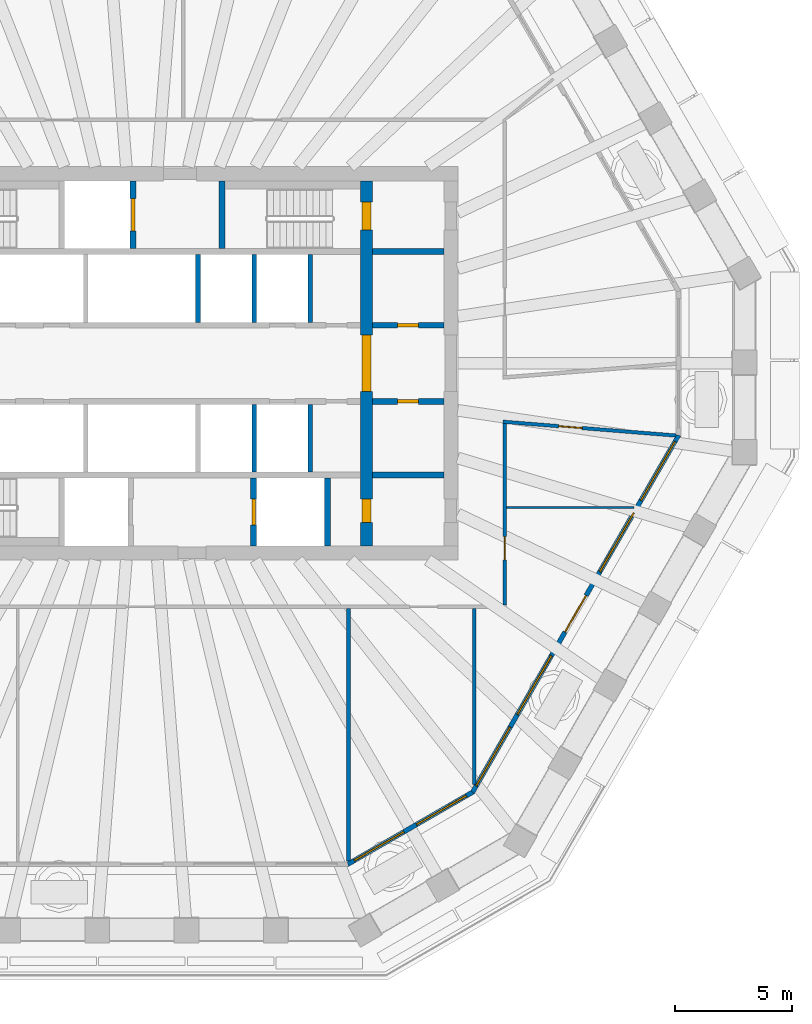
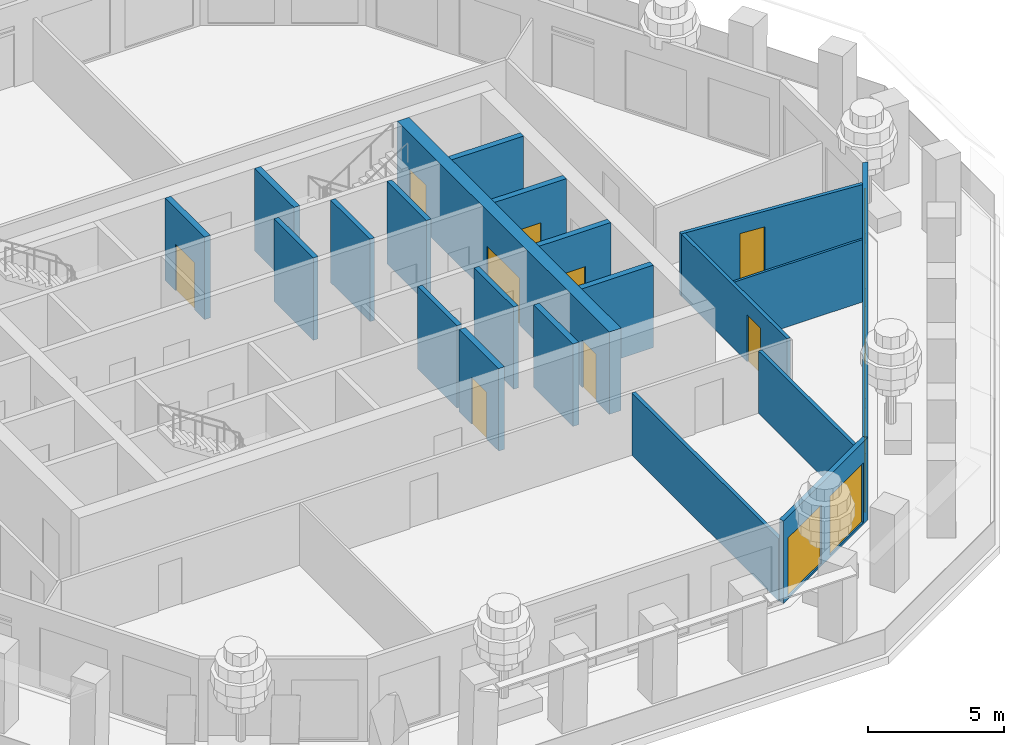
# One storey, part 5 of 12: 21 walls, 10 doors, 7 windows, 17 openings.
"""IFC4 building model written with IfcOpenShell, lengths in metres."""

import ifcopenshell
import ifcopenshell.guid

model = None  # the IFC model being written
_history = None  # IfcOwnerHistory: only IFC2X3 demands one
_inside = {}  # id of a spatial element -> (the spatial element, [elements in it])
_under = {}  # id of a project, library or spatial element -> (it, [spatial elements below it])
_declared = {}  # id of a project -> (the project, [libraries it declares])
_typed = {}  # id of a type object -> (the type object, [elements of that type])
_made_of = {}  # id of a material, layer set ... -> (it, [elements and type objects made of it])


def new_model(schema):
    """Start an empty IFC model of exactly this schema.

    Asked for "IFC4X3", IfcOpenShell would pick the latest addendum, in which some entities
    have other attributes; the version numbers below select the first issue.
    IFC2X3 requires an IfcOwnerHistory on every rooted entity: one is made here for all.
    """
    global model, _history
    if schema == "IFC4X3":
        model = ifcopenshell.file(schema_version=(4, 3, 0, 0))
    else:
        model = ifcopenshell.file(schema=schema)
    _inside.clear()
    _under.clear()
    _declared.clear()
    _typed.clear()
    _made_of.clear()
    _history = None
    if model.schema == "IFC2X3":
        org = make("IfcOrganization", Name="unknown")
        user = make(
            "IfcPersonAndOrganization",
            ThePerson=make("IfcPerson", FamilyName="unknown"),
            TheOrganization=org,
        )
        app = make(
            "IfcApplication",
            ApplicationDeveloper=org,
            Version="unknown",
            ApplicationFullName="unknown",
            ApplicationIdentifier="unknown",
        )
        _history = make(
            "IfcOwnerHistory",
            OwningUser=user,
            OwningApplication=app,
            ChangeAction="ADDED",
            CreationDate=0,
        )
    return model


def make(cls, **values):
    """One entity of the class cls with the attributes given. An attribute that is None is left unset."""
    return model.create_entity(
        cls, **{name: value for name, value in values.items() if value is not None}
    )


def rooted(cls, **values):
    """An entity with a GlobalId (a new one), such as an element, a storey or a relation."""
    return make(cls, GlobalId=ifcopenshell.guid.new(), OwnerHistory=_history, **values)


def si_unit(unit_type, name, prefix=None):
    """IfcSIUnit, for example si_unit("LENGTHUNIT", "METRE", prefix="MILLI")."""
    return make("IfcSIUnit", UnitType=unit_type, Prefix=prefix, Name=name)


def assignment(units):
    """IfcUnitAssignment: the units of a project."""
    return None if units is None else make("IfcUnitAssignment", Units=units)


def point(xyz):
    """IfcCartesianPoint."""
    return None if xyz is None else make("IfcCartesianPoint", Coordinates=xyz)


def direction(xyz):
    """IfcDirection."""
    return None if xyz is None else make("IfcDirection", DirectionRatios=xyz)


def frame(location, z_axis=None, x_axis=None):
    """IfcAxis2Placement3D, a coordinate frame: its origin and axes. An axis left out is left unset."""
    return make(
        "IfcAxis2Placement3D",
        Location=point(location),
        Axis=direction(z_axis),
        RefDirection=direction(x_axis),
    )


def frame_2d(location, x_axis=None):
    """IfcAxis2Placement2D, a coordinate frame in the plane: its origin and x axis."""
    return make(
        "IfcAxis2Placement2D", Location=point(location), RefDirection=direction(x_axis)
    )


def origin():
    """The frame at (0, 0, 0) with its axes left unset."""
    return frame((0.0, 0.0, 0.0))


def place(relative_to, where):
    """IfcLocalPlacement: puts the frame where relative to a parent placement (None: the world)."""
    return make(
        "IfcLocalPlacement", PlacementRelTo=relative_to, RelativePlacement=where
    )


def context(
    kind, dimensions, precision=None, world=None, true_north=None, identifier=None
):
    """IfcGeometricRepresentationContext, for example the 3D "Model" context."""
    return make(
        "IfcGeometricRepresentationContext",
        ContextIdentifier=identifier,
        ContextType=kind,
        CoordinateSpaceDimension=dimensions,
        Precision=precision,
        WorldCoordinateSystem=world,
        TrueNorth=true_north,
    )


def subcontext(parent, identifier, kind, view, scale=None):
    """IfcGeometricRepresentationSubContext, for example "Body" below "Model"."""
    return make(
        "IfcGeometricRepresentationSubContext",
        ContextIdentifier=identifier,
        ContextType=kind,
        ParentContext=parent,
        TargetScale=scale,
        TargetView=view,
    )


def project(units=None, contexts=None):
    """IfcProject with its units and contexts."""
    return rooted(
        "IfcProject",
        Name="project",
        RepresentationContexts=contexts,
        UnitsInContext=assignment(units),
    )


def spatial(cls, under=None, at=None, **own):
    """A site, building, storey or space (cls), placed at a placement, below another one or the project."""
    s = rooted(cls, ObjectPlacement=at, **own)
    if under is not None:
        _under.setdefault(under.id(), (under, []))[1].append(s)
    return s


def polyline(points):
    """IfcPolyline through the points."""
    return make("IfcPolyline", Points=[point(p) for p in points])


def profile(cls, at=None, kind="AREA", **sizes):
    """A parametric profile (cls). Its sizes go by their IFC names, for example OverallWidth=200.0."""
    return make(cls, ProfileType=kind, Position=at, **sizes)


def rectangle(**sizes):
    """IfcRectangleProfileDef."""
    return profile("IfcRectangleProfileDef", **sizes)


def outline(outer, holes=None, kind="AREA"):
    """IfcArbitraryClosedProfileDef: a profile drawn as a closed curve; with holes, ...WithVoids."""
    if holes is None:
        return make("IfcArbitraryClosedProfileDef", ProfileType=kind, OuterCurve=outer)
    return make(
        "IfcArbitraryProfileDefWithVoids",
        ProfileType=kind,
        OuterCurve=outer,
        InnerCurves=holes,
    )


def extrude(swept, where, along, depth):
    """IfcExtrudedAreaSolid: the profile swept, set in the frame where, extruded along a direction by depth."""
    return make(
        "IfcExtrudedAreaSolid",
        SweptArea=swept,
        Position=where,
        ExtrudedDirection=direction(along),
        Depth=depth,
    )


def shape(context_of_items, identifier, shape_type, items):
    """IfcShapeRepresentation: the items that make up one representation, for example the "Body"."""
    return make(
        "IfcShapeRepresentation",
        ContextOfItems=context_of_items,
        RepresentationIdentifier=identifier,
        RepresentationType=shape_type,
        Items=items,
    )


def material(Name=None, Category=None):
    """IfcMaterial."""
    return make("IfcMaterial", Name=Name, Category=Category)


def layer(
    of_material, thickness, ventilated=None, Name=None, Category=None, Priority=None
):
    """IfcMaterialLayer: one layer of a wall or slab, of a material (None: an air gap)."""
    return make(
        "IfcMaterialLayer",
        Material=of_material,
        LayerThickness=thickness,
        IsVentilated=ventilated,
        Name=Name,
        Category=Category,
        Priority=Priority,
    )


def layer_set(layers, Name=None):
    """IfcMaterialLayerSet."""
    return make("IfcMaterialLayerSet", MaterialLayers=layers, LayerSetName=Name)


def made_of(thing, what):
    """Note that an element or type object is made of a material, layer set ...; save() writes the relation."""
    if what is not None:
        _made_of.setdefault(what.id(), (what, []))[1].append(thing)
    return thing


def type_object(cls, material=None, **own):
    """A type object (cls), such as IfcWallType, which elements share."""
    return made_of(rooted(cls, **own), material)


def element(
    cls,
    number,
    at=None,
    inside=None,
    cuts=None,
    type_object=None,
    material=None,
    context=None,
    identifier="Body",
    shape_type=None,
    held_by="IfcProductDefinitionShape",
    body=None,
    shapes=None,
    **own,
):
    """One element of the class cls, such as IfcWall. Its Tag is "e" and its number.

    at: its placement. inside: the storey or other place that contains it. cuts: it is an
    opening in that element (IfcRelVoidsElement). A single representation is given by context,
    identifier, shape_type and body (its items); several are given by shapes. held_by: the class
    of the entity that holds the representations. save() writes the other relations.
    """
    e = rooted(cls, Tag="e%d" % number, ObjectPlacement=at, **own)
    if body is not None:
        shapes = [shape(context, identifier, shape_type, body)]
    if shapes is not None:
        e.Representation = make(held_by, Representations=shapes)
    if inside is not None:
        _inside.setdefault(inside.id(), (inside, []))[1].append(e)
    if cuts is not None:
        rooted(
            "IfcRelVoidsElement", RelatingBuildingElement=cuts, RelatedOpeningElement=e
        )
    if type_object is not None:
        _typed.setdefault(type_object.id(), (type_object, []))[1].append(e)
    return made_of(e, material)


def fill(opening, filler):
    """IfcRelFillsElement: the door or window that sits in an opening."""
    return rooted(
        "IfcRelFillsElement",
        RelatingOpeningElement=opening,
        RelatedBuildingElement=filler,
    )


def aggregate(whole, parts):
    """IfcRelAggregates: a whole, such as a stair, and the parts it consists of."""
    return rooted("IfcRelAggregates", RelatingObject=whole, RelatedObjects=parts)


def save(model, path):
    """Write the relations noted so far, then the file.

    IfcRelAggregates (storeys below a building ...), IfcRelContainedInSpatialStructure (elements
    in a storey), IfcRelDefinesByType, IfcRelAssociatesMaterial and IfcRelDeclares: one each for
    every whole, place, type object, material and project.
    """
    for whole, parts in _under.values():
        aggregate(whole, parts)
    for where, things in _inside.values():
        rooted(
            "IfcRelContainedInSpatialStructure",
            RelatedElements=things,
            RelatingStructure=where,
        )
    for kind, things in _typed.values():
        rooted("IfcRelDefinesByType", RelatedObjects=things, RelatingType=kind)
    for what, things in _made_of.values():
        rooted("IfcRelAssociatesMaterial", RelatedObjects=things, RelatingMaterial=what)
    for by, libraries in _declared.values():
        rooted("IfcRelDeclares", RelatingContext=by, RelatedDefinitions=libraries)
    model.write(path)


model = new_model("IFC4")

# Units and contexts
model_context = context("Model", 3, precision=1e-05, world=origin(), true_north=direction((0.0, 1.0)))
body_context = subcontext(model_context, "Body", "Model", "MODEL_VIEW")
ifc_project = project(units=[si_unit("LENGTHUNIT", "METRE"), si_unit("AREAUNIT", "SQUARE_METRE"), si_unit("VOLUMEUNIT", "CUBIC_METRE"), si_unit("PLANEANGLEUNIT", "RADIAN"), si_unit("MASSUNIT", "GRAM", prefix="KILO")], contexts=[model_context])

# Site, building, storey
site_placement = place(None, origin())
site = spatial("IfcSite", under=ifc_project, at=site_placement, CompositionType="ELEMENT")
building_placement = place(site_placement, origin())
building = spatial("IfcBuilding", under=site, at=building_placement, Name="Frailejon Research Tower", CompositionType="ELEMENT")
storey_placement = place(building_placement, frame((0.0, 0.0, 211.39990234375)))
storey = spatial("IfcBuildingStorey", under=building, at=storey_placement, Name="L45", CompositionType="ELEMENT", Elevation=211.39990234375)

# Wall, openings, doors
ifc_material_1 = material(Name="Concrete C60/75", Category="concrete")
ifc_layer_1 = layer(ifc_material_1, 0.5)
ifc_layer_set_1 = layer_set([ifc_layer_1], Name="Core shear wall 500 C60/75")
wall_type_1 = type_object("IfcWallType", Name="Core shear wall 500 C60/75", PredefinedType="SHEAR", material=ifc_layer_set_1)
wall_1_placement = place(storey_placement, frame((9.60009765625, -7.800048828125, 0.0), z_axis=(0.0, 0.0, 1.0), x_axis=(0.0, 1.0, 0.0)))
wall_1 = element("IfcWall", 1, at=wall_1_placement, inside=storey, type_object=wall_type_1, Name="Core shear wall", PredefinedType="SHEAR", context=body_context, shape_type="SweptSolid", body=[
    extrude(rectangle(XDim=15.60009765625, YDim=0.5, at=frame_2d((7.800048828125, 0.0))), origin(), (0.0, 0.0, 1.0), 3.7001953125),
])
opening_1_placement = place(wall_1_placement, frame((6.60009765625, 0.0, 0.0)))
opening_1 = element("IfcOpeningElement", 2, at=opening_1_placement, cuts=wall_1, Name="Opening D2", PredefinedType="OPENING", context=body_context, shape_type="SweptSolid", body=[
    extrude(rectangle(XDim=2.39990234375, YDim=2.10009765625, at=frame_2d((1.199951171875, 1.050048828125))), frame((0.0, 0.260009765625, 0.0), z_axis=(0.0, -1.0, 0.0), x_axis=(1.0, 0.0, 0.0)), (0.0, 0.0, 1.0), 0.52001953125),
])
opening_2_placement = place(wall_1_placement, frame((13.5, 0.0, 0.0)))
opening_2 = element("IfcOpeningElement", 3, at=opening_2_placement, cuts=wall_1, Name="Opening D1", PredefinedType="OPENING", context=body_context, shape_type="SweptSolid", body=[
    extrude(rectangle(XDim=1.199951171875, YDim=2.10009765625, at=frame_2d((0.60009765625, 1.050048828125))), frame((0.0, 0.260009765625, 0.0), z_axis=(0.0, -1.0, 0.0), x_axis=(1.0, 0.0, 0.0)), (0.0, 0.0, 1.0), 0.52001953125),
])
opening_3_placement = place(wall_1_placement, frame((1.0, 0.0, 0.0)))
opening_3 = element("IfcOpeningElement", 4, at=opening_3_placement, cuts=wall_1, Name="Opening D4", PredefinedType="OPENING", context=body_context, shape_type="SweptSolid", body=[
    extrude(rectangle(XDim=1.0, YDim=2.10009765625, at=frame_2d((0.5, 1.050048828125))), frame((0.0, 0.260009765625, 0.0), z_axis=(0.0, -1.0, 0.0), x_axis=(1.0, 0.0, 0.0)), (0.0, 0.0, 1.0), 0.52001953125),
])
ifc_material_2 = material(Name="Steel", Category="steel")
door_type_1 = type_object("IfcDoorType", Name="Lobby double door", OperationType="DOUBLE_DOOR_SINGLE_SWING", PredefinedType="DOOR", material=ifc_material_2)
door_1_placement = place(opening_1_placement, origin())
door_1 = element("IfcDoor", 5, at=door_1_placement, inside=storey, type_object=door_type_1, Name="Lobby door", OperationType="DOUBLE_DOOR_SINGLE_SWING", OverallHeight=2.10009765625, OverallWidth=2.39990234375, PredefinedType="DOOR", context=body_context, shape_type="SweptSolid", body=[
    extrude(rectangle(XDim=2.39990234375, YDim=2.10009765625, at=frame_2d((1.199951171875, 1.050048828125))), frame((0.0, 0.199951171875, 0.0), z_axis=(0.0, -1.0, 0.0), x_axis=(1.0, 0.0, 0.0)), (0.0, 0.0, 1.0), 0.39990234375),
])
fill(opening_1, door_1)
ifc_material_3 = material(Name="Steel", Category="steel")
door_type_2 = type_object("IfcDoorType", Name="Service door", OperationType="SINGLE_SWING_LEFT", PredefinedType="DOOR", material=ifc_material_3)
door_2_placement = place(opening_3_placement, origin())
door_2 = element("IfcDoor", 6, at=door_2_placement, inside=storey, type_object=door_type_2, Name="Riser door", OperationType="SINGLE_SWING_RIGHT", OverallHeight=2.10009765625, OverallWidth=1.0, PredefinedType="DOOR", context=body_context, shape_type="SweptSolid", body=[
    extrude(rectangle(XDim=1.0, YDim=2.10009765625, at=frame_2d((0.5, 1.050048828125))), frame((0.0, 0.199951171875, 0.0), z_axis=(0.0, -1.0, 0.0), x_axis=(1.0, 0.0, 0.0)), (0.0, 0.0, 1.0), 0.39990234375),
])
fill(opening_3, door_2)
ifc_material_4 = material(Name="Steel", Category="steel")
door_type_3 = type_object("IfcDoorType", Name="Stair door", OperationType="SINGLE_SWING_LEFT", PredefinedType="DOOR", material=ifc_material_4)
door_3_placement = place(opening_2_placement, origin())
door_3 = element("IfcDoor", 7, at=door_3_placement, inside=storey, type_object=door_type_3, Name="Stair door ST3", OperationType="SINGLE_SWING_RIGHT", OverallHeight=2.10009765625, OverallWidth=1.199951171875, PredefinedType="DOOR", context=body_context, shape_type="SweptSolid", body=[
    extrude(rectangle(XDim=1.199951171875, YDim=2.10009765625, at=frame_2d((0.60009765625, 1.050048828125))), frame((0.0, 0.199951171875, 0.0), z_axis=(0.0, -1.0, 0.0), x_axis=(1.0, 0.0, 0.0)), (0.0, 0.0, 1.0), 0.39990234375),
])
fill(opening_2, door_3)

# Wall, opening, door
ifc_material_5 = material(Name="Gypsum board and masonry partition", Category="masonry")
ifc_layer_2 = layer(ifc_material_5, 0.14990234375)
ifc_layer_set_2 = layer_set([ifc_layer_2], Name="Corridor wall EI 60, gypsum on steel studs 150")
wall_type_2 = type_object("IfcWallType", Name="Corridor wall EI 60, gypsum on steel studs 150", PredefinedType="PARTITIONING", material=ifc_layer_set_2)
wall_2_placement = place(storey_placement, frame((15.5, -10.324951171875, 0.0), z_axis=(0.0, 0.0, 1.0), x_axis=(0.0, 1.0, 0.0)))
wall_2 = element("IfcWall", 8, at=wall_2_placement, inside=storey, type_object=wall_type_2, Name="T:IW:L45:001", PredefinedType="PARTITIONING", context=body_context, shape_type="SweptSolid", body=[
    extrude(rectangle(XDim=7.748291015625, YDim=0.14990234375, at=frame_2d((3.8740234375, 0.0))), origin(), (0.0, 0.0, 1.0), 2.800048828125),
])
opening_4_placement = place(wall_2_placement, frame((1.9248046875, 0.0, 0.0)))
opening_4 = element("IfcOpeningElement", 9, at=opening_4_placement, cuts=wall_2, Name="Opening D1946", PredefinedType="OPENING", context=body_context, shape_type="SweptSolid", body=[
    extrude(rectangle(XDim=1.0, YDim=2.10009765625, at=frame_2d((0.5, 1.050048828125))), frame((0.0, 0.0849609375, 0.0), z_axis=(0.0, -1.0, 0.0), x_axis=(1.0, 0.0, 0.0)), (0.0, 0.0, 1.0), 0.169921875),
])
ifc_material_6 = material(Name="Timber door leaf", Category="wood")
door_type_4 = type_object("IfcDoorType", Name="Door single leaf, timber, steel frame 1000", OperationType="NOTDEFINED", PredefinedType="DOOR", material=ifc_material_6)
door_4_placement = place(opening_4_placement, origin())
door_4 = element("IfcDoor", 10, at=door_4_placement, inside=storey, type_object=door_type_4, Name="D1946", OperationType="SINGLE_SWING_RIGHT", OverallHeight=2.10009765625, OverallWidth=1.0, PredefinedType="DOOR", context=body_context, shape_type="SweptSolid", body=[
    extrude(rectangle(XDim=1.0, YDim=2.10009765625, at=frame_2d((0.5, 1.050048828125))), frame((0.0, 0.02490234375, 0.0), z_axis=(0.0, -1.0, 0.0), x_axis=(1.0, 0.0, 0.0)), (0.0, 0.0, 1.0), 0.050048828125),
])
fill(opening_4, door_4)

wall_3_placement = place(storey_placement, frame((15.42529296875, -2.49560546875, 0.0), z_axis=(0.0, 0.0, 1.0), x_axis=(0.996825847875, -0.079612995219, 0.0)))
wall_3 = element("IfcWall", 11, at=wall_3_placement, inside=storey, type_object=wall_type_2, Name="T:IW:L45:010", PredefinedType="PARTITIONING", context=body_context, shape_type="SweptSolid", body=[
    extrude(rectangle(XDim=7.411865234375, YDim=0.14990234375, at=frame_2d((3.7060546875, 0.0))), origin(), (0.0, 0.0, 1.0), 2.800048828125),
])
opening_5_placement = place(wall_3_placement, frame((2.39794921875, 0.0, 0.0)))
opening_5 = element("IfcOpeningElement", 12, at=opening_5_placement, cuts=wall_3, Name="Opening D1947", PredefinedType="OPENING", context=body_context, shape_type="SweptSolid", body=[
    extrude(rectangle(XDim=1.0, YDim=2.10009765625, at=frame_2d((0.5, 1.050048828125))), frame((0.0, 0.0849609375, 0.0), z_axis=(0.0, -1.0, 0.0), x_axis=(1.0, 0.0, 0.0)), (0.0, 0.0, 1.0), 0.169921875),
])
door_5_placement = place(opening_5_placement, origin())
door_5 = element("IfcDoor", 13, at=door_5_placement, inside=storey, type_object=door_type_4, Name="D1947", OperationType="SINGLE_SWING_RIGHT", OverallHeight=2.10009765625, OverallWidth=1.0, PredefinedType="DOOR", context=body_context, shape_type="SweptSolid", body=[
    extrude(rectangle(XDim=1.0, YDim=2.10009765625, at=frame_2d((0.5, 1.050048828125))), frame((0.0, 0.02490234375, 0.0), z_axis=(0.0, -1.0, 0.0), x_axis=(1.0, 0.0, 0.0)), (0.0, 0.0, 1.0), 0.050048828125),
])
fill(opening_5, door_5)

# Walls
ifc_material_7 = material(Name="Gypsum board and masonry partition", Category="masonry")
ifc_layer_3 = layer(ifc_material_7, 0.14990234375)
ifc_layer_set_3 = layer_set([ifc_layer_3], Name="Laboratory partition, blockwork 150")
wall_type_3 = type_object("IfcWallType", Name="Laboratory partition, blockwork 150", PredefinedType="PARTITIONING", material=ifc_layer_set_3)
wall_4_placement = place(storey_placement, frame((8.82958984375, -21.26904296875, 0.0), z_axis=(0.0, 0.0, 1.0), x_axis=(0.0, 1.0, 0.0)))
element("IfcWall", 14, at=wall_4_placement, inside=storey, type_object=wall_type_3, Name="T:IW:L45:013", PredefinedType="PARTITIONING", context=body_context, shape_type="SweptSolid", body=[
    extrude(rectangle(XDim=10.7939453125, YDim=0.14990234375, at=frame_2d((5.39697265625, 0.0))), origin(), (0.0, 0.0, 1.0), 2.800048828125),
])
wall_5_placement = place(storey_placement, frame((14.20458984375, -17.99658203125, 0.0), z_axis=(0.0, 0.0, 1.0), x_axis=(0.0, 1.0, 0.0)))
element("IfcWall", 15, at=wall_5_placement, inside=storey, type_object=wall_type_3, Name="T:IW:L45:014", PredefinedType="PARTITIONING", context=body_context, shape_type="SweptSolid", body=[
    extrude(rectangle(XDim=7.521484375, YDim=0.14990234375, at=frame_2d((3.7607421875, 0.0))), origin(), (0.0, 0.0, 1.0), 2.800048828125),
])
ifc_material_8 = material(Name="Gypsum board and masonry partition", Category="masonry")
ifc_layer_4 = layer(ifc_material_8, 0.10009765625)
ifc_layer_set_4 = layer_set([ifc_layer_4], Name="Partition, gypsum on steel studs 100")
wall_type_4 = type_object("IfcWallType", Name="Partition, gypsum on steel studs 100", PredefinedType="PARTITIONING", material=ifc_layer_set_4)
wall_6_placement = place(storey_placement, frame((15.574951171875, -6.162109375, 0.0), z_axis=(0.0, 0.0, 1.0), x_axis=(1.0, 0.0, 0.0)))
element("IfcWall", 16, at=wall_6_placement, inside=storey, type_object=wall_type_4, Name="T:IW:L45:019", PredefinedType="PARTITIONING", context=body_context, shape_type="SweptSolid", body=[
    extrude(rectangle(XDim=5.462646484375, YDim=0.10009765625, at=frame_2d((2.7314453125, 0.0))), origin(), (0.0, 0.0, 1.0), 2.800048828125),
])
ifc_material_9 = material(Name="Concrete C60/75", Category="concrete")
ifc_layer_5 = layer(ifc_material_9, 0.199951171875)
ifc_layer_set_5 = layer_set([ifc_layer_5], Name="Shaft wall 200 C60/75")
wall_type_5 = type_object("IfcWallType", Name="Shaft wall 200 C60/75", PredefinedType="SOLIDWALL", material=ifc_layer_set_5)
for number, where, z_axis, x_axis, name in (
    (17, (2.39990234375, 1.75, 0.0), (0.0, 0.0, 1.0), (0.0, 1.0, 0.0), "Shaft wall"),
    (18, (4.800048828125, 1.75, 0.0), (0.0, 0.0, 1.0), (0.0, 1.0, 0.0), "Shaft wall"),
    (19, (7.199951171875, 1.75, 0.0), (0.0, 0.0, 1.0), (0.0, 1.0, 0.0), "Shaft wall"),
    (20, (4.800048828125, -4.64990234375, 0.0), (0.0, 0.0, 1.0), (0.0, 1.0, 0.0), "Shaft wall"),
    (21, (7.199951171875, -4.64990234375, 0.0), (0.0, 0.0, 1.0), (0.0, 1.0, 0.0), "Shaft wall"),
):
    element("IfcWall", number, at=place(storey_placement, frame(where, z_axis=z_axis, x_axis=x_axis)), inside=storey, type_object=wall_type_5, Name=name, PredefinedType="SOLIDWALL", context=body_context, shape_type="SweptSolid", body=[
        extrude(rectangle(XDim=2.89990234375, YDim=0.199951171875, at=frame_2d((1.449951171875, 0.0))), origin(), (0.0, 0.0, 1.0), 3.7001953125),
    ])

# Wall, opening, door
ifc_material_10 = material(Name="Concrete C60/75", Category="concrete")
ifc_layer_6 = layer(ifc_material_10, 0.25)
ifc_layer_set_6 = layer_set([ifc_layer_6], Name="Shaft wall 250 C60/75")
wall_type_6 = type_object("IfcWallType", Name="Shaft wall 250 C60/75", PredefinedType="SOLIDWALL", material=ifc_layer_set_6)
wall_7_placement = place(storey_placement, frame((9.85009765625, 1.625, 0.0), z_axis=(0.0, 0.0, 1.0), x_axis=(1.0, 0.0, 0.0)))
wall_7 = element("IfcWall", 22, at=wall_7_placement, inside=storey, type_object=wall_type_6, Name="Shaft wall", PredefinedType="SOLIDWALL", context=body_context, shape_type="SweptSolid", body=[
    extrude(rectangle(XDim=3.0498046875, YDim=0.25, at=frame_2d((1.52490234375, 0.0))), origin(), (0.0, 0.0, 1.0), 3.7001953125),
])
opening_6_placement = place(wall_7_placement, frame((1.074951171875, 0.0, 0.0)))
opening_6 = element("IfcOpeningElement", 23, at=opening_6_placement, cuts=wall_7, Name="Opening D8", PredefinedType="OPENING", context=body_context, shape_type="SweptSolid", body=[
    extrude(rectangle(XDim=0.89990234375, YDim=2.10009765625, at=frame_2d((0.449951171875, 1.050048828125))), frame((0.0, 0.135009765625, 0.0), z_axis=(0.0, -1.0, 0.0), x_axis=(1.0, 0.0, 0.0)), (0.0, 0.0, 1.0), 0.27001953125),
])
ifc_material_11 = material(Name="Steel", Category="steel")
door_type_5 = type_object("IfcDoorType", Name="Core room door", OperationType="SINGLE_SWING_LEFT", PredefinedType="DOOR", material=ifc_material_11)
door_6_placement = place(opening_6_placement, origin())
door_6 = element("IfcDoor", 24, at=door_6_placement, inside=storey, type_object=door_type_5, Name="Room door", OperationType="SINGLE_SWING_LEFT", OverallHeight=2.10009765625, OverallWidth=0.89990234375, PredefinedType="DOOR", context=body_context, shape_type="SweptSolid", body=[
    extrude(rectangle(XDim=0.89990234375, YDim=2.10009765625, at=frame_2d((0.449951171875, 1.050048828125))), frame((0.0, 0.074951171875, 0.0), z_axis=(0.0, -1.0, 0.0), x_axis=(1.0, 0.0, 0.0)), (0.0, 0.0, 1.0), 0.14990234375),
])
fill(opening_6, door_6)

# Wall
wall_8_placement = place(storey_placement, frame((9.85009765625, 4.77490234375, 0.0), z_axis=(0.0, 0.0, 1.0), x_axis=(1.0, 0.0, 0.0)))
element("IfcWall", 25, at=wall_8_placement, inside=storey, type_object=wall_type_6, Name="Shaft wall", PredefinedType="SOLIDWALL", context=body_context, shape_type="SweptSolid", body=[
    extrude(rectangle(XDim=3.0498046875, YDim=0.25, at=frame_2d((1.52490234375, 0.0))), origin(), (0.0, 0.0, 1.0), 3.7001953125),
])

# Wall, opening, door
wall_9_placement = place(storey_placement, frame((9.85009765625, -1.625, 0.0), z_axis=(0.0, 0.0, 1.0), x_axis=(1.0, 0.0, 0.0)))
wall_9 = element("IfcWall", 26, at=wall_9_placement, inside=storey, type_object=wall_type_6, Name="Shaft wall", PredefinedType="SOLIDWALL", context=body_context, shape_type="SweptSolid", body=[
    extrude(rectangle(XDim=3.0498046875, YDim=0.25, at=frame_2d((1.52490234375, 0.0))), origin(), (0.0, 0.0, 1.0), 3.7001953125),
])
opening_7_placement = place(wall_9_placement, frame((1.074951171875, 0.0, 0.0)))
opening_7 = element("IfcOpeningElement", 27, at=opening_7_placement, cuts=wall_9, Name="Opening D8", PredefinedType="OPENING", context=body_context, shape_type="SweptSolid", body=[
    extrude(rectangle(XDim=0.89990234375, YDim=2.10009765625, at=frame_2d((0.449951171875, 1.050048828125))), frame((0.0, 0.135009765625, 0.0), z_axis=(0.0, -1.0, 0.0), x_axis=(1.0, 0.0, 0.0)), (0.0, 0.0, 1.0), 0.27001953125),
])
door_7_placement = place(opening_7_placement, origin())
door_7 = element("IfcDoor", 28, at=door_7_placement, inside=storey, type_object=door_type_5, Name="Room door", OperationType="SINGLE_SWING_LEFT", OverallHeight=2.10009765625, OverallWidth=0.89990234375, PredefinedType="DOOR", context=body_context, shape_type="SweptSolid", body=[
    extrude(rectangle(XDim=0.89990234375, YDim=2.10009765625, at=frame_2d((0.449951171875, 1.050048828125))), frame((0.0, 0.074951171875, 0.0), z_axis=(0.0, -1.0, 0.0), x_axis=(1.0, 0.0, 0.0)), (0.0, 0.0, 1.0), 0.14990234375),
])
fill(opening_7, door_7)

# Wall
wall_10_placement = place(storey_placement, frame((9.85009765625, -4.77490234375, 0.0), z_axis=(0.0, 0.0, 1.0), x_axis=(1.0, 0.0, 0.0)))
element("IfcWall", 29, at=wall_10_placement, inside=storey, type_object=wall_type_6, Name="Shaft wall", PredefinedType="SOLIDWALL", context=body_context, shape_type="SweptSolid", body=[
    extrude(rectangle(XDim=3.0498046875, YDim=0.25, at=frame_2d((1.52490234375, 0.0))), origin(), (0.0, 0.0, 1.0), 3.7001953125),
])

# Wall, opening, door
wall_11_placement = place(storey_placement, frame((-0.375, 4.89990234375, 0.0), z_axis=(0.0, 0.0, 1.0), x_axis=(0.0, 1.0, 0.0)))
wall_11 = element("IfcWall", 30, at=wall_11_placement, inside=storey, type_object=wall_type_6, Name="Shaft wall", PredefinedType="SOLIDWALL", context=body_context, shape_type="SweptSolid", body=[
    extrude(rectangle(XDim=2.900146484375, YDim=0.25, at=frame_2d((1.4501953125, 0.0))), origin(), (0.0, 0.0, 1.0), 3.7001953125),
])
opening_8_placement = place(wall_11_placement, frame((0.75, 0.0, 0.0)))
opening_8 = element("IfcOpeningElement", 31, at=opening_8_placement, cuts=wall_11, Name="Opening LD2", PredefinedType="OPENING", context=body_context, shape_type="SweptSolid", body=[
    extrude(rectangle(XDim=1.39990234375, YDim=2.10009765625, at=frame_2d((0.699951171875, 1.050048828125))), frame((0.0, 0.135009765625, 0.0), z_axis=(0.0, -1.0, 0.0), x_axis=(1.0, 0.0, 0.0)), (0.0, 0.0, 1.0), 0.27001953125),
])
ifc_material_12 = material(Name="Stainless steel", Category="steel")
door_type_6 = type_object("IfcDoorType", Name="Goods landing door", OperationType="DOUBLE_DOOR_SLIDING", PredefinedType="DOOR", material=ifc_material_12)
door_8_placement = place(opening_8_placement, origin())
door_8 = element("IfcDoor", 32, at=door_8_placement, inside=storey, type_object=door_type_6, Name="Lift landing door", OperationType="DOUBLE_DOOR_SLIDING", OverallHeight=2.10009765625, OverallWidth=1.39990234375, PredefinedType="DOOR", context=body_context, shape_type="SweptSolid", body=[
    extrude(rectangle(XDim=1.39990234375, YDim=2.10009765625, at=frame_2d((0.699951171875, 1.050048828125))), frame((0.0, 0.074951171875, 0.0), z_axis=(0.0, -1.0, 0.0), x_axis=(1.0, 0.0, 0.0)), (0.0, 0.0, 1.0), 0.14990234375),
])
fill(opening_8, door_8)

# Wall
wall_12_placement = place(storey_placement, frame((3.425048828125, 4.89990234375, 0.0), z_axis=(0.0, 0.0, 1.0), x_axis=(0.0, 1.0, 0.0)))
element("IfcWall", 33, at=wall_12_placement, inside=storey, type_object=wall_type_6, Name="Shaft wall", PredefinedType="SOLIDWALL", context=body_context, shape_type="SweptSolid", body=[
    extrude(rectangle(XDim=2.900146484375, YDim=0.25, at=frame_2d((1.4501953125, 0.0))), origin(), (0.0, 0.0, 1.0), 3.7001953125),
])

# Wall, opening, door
wall_13_placement = place(storey_placement, frame((4.77490234375, -7.800048828125, 0.0), z_axis=(0.0, 0.0, 1.0), x_axis=(0.0, 1.0, 0.0)))
wall_13 = element("IfcWall", 34, at=wall_13_placement, inside=storey, type_object=wall_type_6, Name="Shaft wall", PredefinedType="SOLIDWALL", context=body_context, shape_type="SweptSolid", body=[
    extrude(rectangle(XDim=2.900146484375, YDim=0.25, at=frame_2d((1.4501953125, 0.0))), origin(), (0.0, 0.0, 1.0), 3.7001953125),
])
opening_9_placement = place(wall_13_placement, frame((0.89990234375, 0.0, 0.0)))
opening_9 = element("IfcOpeningElement", 35, at=opening_9_placement, cuts=wall_13, Name="Opening LD", PredefinedType="OPENING", context=body_context, shape_type="SweptSolid", body=[
    extrude(rectangle(XDim=1.10009765625, YDim=2.10009765625, at=frame_2d((0.550048828125, 1.050048828125))), frame((0.0, 0.135009765625, 0.0), z_axis=(0.0, -1.0, 0.0), x_axis=(1.0, 0.0, 0.0)), (0.0, 0.0, 1.0), 0.27001953125),
])
ifc_material_13 = material(Name="Steel", Category="steel")
door_type_7 = type_object("IfcDoorType", Name="Lift landing door", OperationType="DOUBLE_DOOR_SLIDING", PredefinedType="DOOR", material=ifc_material_13)
door_9_placement = place(opening_9_placement, origin())
door_9 = element("IfcDoor", 36, at=door_9_placement, inside=storey, type_object=door_type_7, Name="Lift landing door", OperationType="DOUBLE_DOOR_SLIDING", OverallHeight=2.10009765625, OverallWidth=1.10009765625, PredefinedType="DOOR", context=body_context, shape_type="SweptSolid", body=[
    extrude(rectangle(XDim=1.10009765625, YDim=2.10009765625, at=frame_2d((0.550048828125, 1.050048828125))), frame((0.0, 0.074951171875, 0.0), z_axis=(0.0, -1.0, 0.0), x_axis=(1.0, 0.0, 0.0)), (0.0, 0.0, 1.0), 0.14990234375),
])
fill(opening_9, door_9)

# Wall
wall_14_placement = place(storey_placement, frame((7.925048828125, -7.800048828125, 0.0), z_axis=(0.0, 0.0, 1.0), x_axis=(0.0, 1.0, 0.0)))
element("IfcWall", 37, at=wall_14_placement, inside=storey, type_object=wall_type_6, Name="Shaft wall", PredefinedType="SOLIDWALL", context=body_context, shape_type="SweptSolid", body=[
    extrude(rectangle(XDim=2.900146484375, YDim=0.25, at=frame_2d((1.4501953125, 0.0))), origin(), (0.0, 0.0, 1.0), 3.7001953125),
])

# Wall, openings, windows
ifc_material_14 = material(Name="Concrete C40/50 precast window wall panel", Category="concrete")
ifc_layer_7 = layer(ifc_material_14, 0.199951171875)
ifc_layer_set_7 = layer_set([ifc_layer_7], Name="Window wall 200")
wall_type_7 = type_object("IfcWallType", Name="Window wall 200", PredefinedType="SOLIDWALL", material=ifc_layer_set_7)
wall_15_placement = place(storey_placement, frame((8.802978515625, -21.39990234375, 0.0), z_axis=(0.0, 0.0, 1.0), x_axis=(0.866029647142, 0.499992650217, 0.0)))
wall_15 = element("IfcWall", 38, at=wall_15_placement, inside=storey, type_object=wall_type_7, Name="Exterior wall L45", PredefinedType="SOLIDWALL", context=body_context, shape_type="SweptSolid", body=[
    extrude(outline(polyline([(-0.02685546875, -0.10009765625), (1.007568359375, -0.10009765625), (2.0419921875, -0.10009765625), (3.076416015625, -0.10009765625), (4.11083984375, -0.10009765625), (5.145263671875, -0.10009765625), (6.1796875, -0.10009765625), (6.1259765625, 0.10009765625), (5.109375, 0.10009765625), (4.093017578125, 0.10009765625), (3.076416015625, 0.10009765625), (2.059814453125, 0.10009765625), (1.04345703125, 0.10009765625), (0.02685546875, 0.10009765625), (-0.02685546875, -0.10009765625)])), origin(), (0.0, 0.0, 1.0), 3.7001953125),
])
opening_10_placement = place(wall_15_placement, frame((0.313232421875, 0.0, 0.10009765625)))
opening_10 = element("IfcOpeningElement", 39, at=opening_10_placement, cuts=wall_15, Name="Opening W17", PredefinedType="OPENING", context=body_context, shape_type="SweptSolid", body=[
    extrude(rectangle(XDim=2.449951171875, YDim=2.64990234375, at=frame_2d((1.22509765625, 1.324951171875))), frame((0.0, 0.10986328125, 0.0), z_axis=(0.0, -1.0, 0.0), x_axis=(1.0, 0.0, 0.0)), (0.0, 0.0, 1.0), 0.219970703125),
])
opening_11_placement = place(wall_15_placement, frame((3.3896484375, 0.0, 0.10009765625)))
opening_11 = element("IfcOpeningElement", 40, at=opening_11_placement, cuts=wall_15, Name="Opening W17", PredefinedType="OPENING", context=body_context, shape_type="SweptSolid", body=[
    extrude(rectangle(XDim=2.449951171875, YDim=2.64990234375, at=frame_2d((1.22509765625, 1.324951171875))), frame((0.0, 0.10986328125, 0.0), z_axis=(0.0, -1.0, 0.0), x_axis=(1.0, 0.0, 0.0)), (0.0, 0.0, 1.0), 0.219970703125),
])
ifc_material_15 = material(Name="Aluminium framed double glazing", Category="aluminium")
window_type_1 = type_object("IfcWindowType", Name="Window 2450x2650", PartitioningType="SINGLE_PANEL", PredefinedType="WINDOW", material=ifc_material_15)
window_1_placement = place(opening_10_placement, origin())
window_1 = element("IfcWindow", 41, at=window_1_placement, inside=storey, type_object=window_type_1, Name="Window L45", OverallHeight=2.64990234375, OverallWidth=2.449951171875, PartitioningType="SINGLE_PANEL", PredefinedType="WINDOW", context=body_context, shape_type="SweptSolid", body=[
    extrude(rectangle(XDim=2.449951171875, YDim=2.64990234375, at=frame_2d((1.22509765625, 1.324951171875))), frame((0.0, 0.030029296875, 0.0), z_axis=(0.0, -1.0, 0.0), x_axis=(1.0, 0.0, 0.0)), (0.0, 0.0, 1.0), 0.06005859375),
])
fill(opening_10, window_1)
window_2_placement = place(opening_11_placement, origin())
window_2 = element("IfcWindow", 42, at=window_2_placement, inside=storey, type_object=window_type_1, Name="Window L45", OverallHeight=2.64990234375, OverallWidth=2.449951171875, PartitioningType="SINGLE_PANEL", PredefinedType="WINDOW", context=body_context, shape_type="SweptSolid", body=[
    extrude(rectangle(XDim=2.449951171875, YDim=2.64990234375, at=frame_2d((1.22509765625, 1.324951171875))), frame((0.0, 0.030029296875, 0.0), z_axis=(0.0, -1.0, 0.0), x_axis=(1.0, 0.0, 0.0)), (0.0, 0.0, 1.0), 0.06005859375),
])
fill(opening_11, window_2)

# Wall, openings, door, windows
wall_16_placement = place(storey_placement, frame((14.131591796875, -18.323486328125, 0.0), z_axis=(0.0, 0.0, 1.0), x_axis=(0.499992938033, 0.866029480975, 0.0)))
wall_16 = element("IfcWall", 43, at=wall_16_placement, inside=storey, type_object=wall_type_7, Name="Exterior wall L45", PredefinedType="SOLIDWALL", context=body_context, shape_type="SweptSolid", body=[
    extrude(outline(polyline([(-0.02685546875, -0.10009765625), (1.011962890625, -0.10009765625), (2.05078125, -0.10009765625), (3.089599609375, -0.10009765625), (4.12841796875, -0.10009765625), (5.1669921875, -0.10009765625), (6.205810546875, -0.10009765625), (7.24462890625, -0.10009765625), (8.283447265625, -0.10009765625), (9.322265625, -0.10009765625), (10.361083984375, -0.10009765625), (11.39990234375, -0.10009765625), (12.438720703125, -0.10009765625), (13.477294921875, -0.10009765625), (14.51611328125, -0.10009765625), (15.554931640625, -0.10009765625), (16.59375, -0.10009765625), (17.632568359375, -0.10009765625), (17.578857421875, 0.10009765625), (16.54638671875, 0.10009765625), (15.513916015625, 0.10009765625), (14.4814453125, 0.10009765625), (13.448974609375, 0.10009765625), (12.41650390625, 0.10009765625), (11.384033203125, 0.10009765625), (10.3515625, 0.10009765625), (9.319091796875, 0.10009765625), (8.28662109375, 0.10009765625), (7.254150390625, 0.10009765625), (6.2216796875, 0.10009765625), (5.189208984375, 0.10009765625), (4.15673828125, 0.10009765625), (3.124267578125, 0.10009765625), (2.091796875, 0.10009765625), (1.059326171875, 0.10009765625), (0.02685546875, 0.10009765625), (-0.02685546875, -0.10009765625)])), origin(), (0.0, 0.0, 1.0), 3.7001953125),
])
opening_12_placement = place(wall_16_placement, frame((0.310546875, 0.0, 0.10009765625)))
opening_12 = element("IfcOpeningElement", 44, at=opening_12_placement, cuts=wall_16, Name="Opening W20", PredefinedType="OPENING", context=body_context, shape_type="SweptSolid", body=[
    extrude(rectangle(XDim=2.89990234375, YDim=2.64990234375, at=frame_2d((1.449951171875, 1.324951171875))), frame((0.0, 0.10986328125, 0.0), z_axis=(0.0, -1.0, 0.0), x_axis=(1.0, 0.0, 0.0)), (0.0, 0.0, 1.0), 0.219970703125),
])
opening_13_placement = place(wall_16_placement, frame((3.831787109375, 0.0, 0.10009765625)))
opening_13 = element("IfcOpeningElement", 45, at=opening_13_placement, cuts=wall_16, Name="Opening W20", PredefinedType="OPENING", context=body_context, shape_type="SweptSolid", body=[
    extrude(rectangle(XDim=2.89990234375, YDim=2.64990234375, at=frame_2d((1.449951171875, 1.324951171875))), frame((0.0, 0.10986328125, 0.0), z_axis=(0.0, -1.0, 0.0), x_axis=(1.0, 0.0, 0.0)), (0.0, 0.0, 1.0), 0.219970703125),
])
opening_14_placement = place(wall_16_placement, frame((7.90283203125, 0.0, 0.0)))
opening_14 = element("IfcOpeningElement", 46, at=opening_14_placement, cuts=wall_16, Name="Opening LG45-6", PredefinedType="OPENING", context=body_context, shape_type="SweptSolid", body=[
    extrude(rectangle(XDim=1.800048828125, YDim=2.39990234375, at=frame_2d((0.89990234375, 1.199951171875))), frame((0.0, 0.10986328125, 0.0), z_axis=(0.0, -1.0, 0.0), x_axis=(1.0, 0.0, 0.0)), (0.0, 0.0, 1.0), 0.219970703125),
])
opening_15_placement = place(wall_16_placement, frame((7.90283203125, 0.0, 2.550048828125)))
opening_15 = element("IfcOpeningElement", 47, at=opening_15_placement, cuts=wall_16, Name="Opening W19", PredefinedType="OPENING", context=body_context, shape_type="SweptSolid", body=[
    extrude(rectangle(XDim=1.800048828125, YDim=0.199951171875, at=frame_2d((0.89990234375, 0.10009765625))), frame((0.0, 0.10986328125, 0.0), z_axis=(0.0, -1.0, 0.0), x_axis=(1.0, 0.0, 0.0)), (0.0, 0.0, 1.0), 0.219970703125),
])
opening_16_placement = place(wall_16_placement, frame((10.8740234375, 0.0, 0.10009765625)))
opening_16 = element("IfcOpeningElement", 48, at=opening_16_placement, cuts=wall_16, Name="Opening W20", PredefinedType="OPENING", context=body_context, shape_type="SweptSolid", body=[
    extrude(rectangle(XDim=2.89990234375, YDim=2.64990234375, at=frame_2d((1.449951171875, 1.324951171875))), frame((0.0, 0.10986328125, 0.0), z_axis=(0.0, -1.0, 0.0), x_axis=(1.0, 0.0, 0.0)), (0.0, 0.0, 1.0), 0.219970703125),
])
opening_17_placement = place(wall_16_placement, frame((14.395263671875, 0.0, 0.10009765625)))
opening_17 = element("IfcOpeningElement", 49, at=opening_17_placement, cuts=wall_16, Name="Opening W20", PredefinedType="OPENING", context=body_context, shape_type="SweptSolid", body=[
    extrude(rectangle(XDim=2.89990234375, YDim=2.64990234375, at=frame_2d((1.449951171875, 1.324951171875))), frame((0.0, 0.10986328125, 0.0), z_axis=(0.0, -1.0, 0.0), x_axis=(1.0, 0.0, 0.0)), (0.0, 0.0, 1.0), 0.219970703125),
])
ifc_material_16 = material(Name="Aluminium framed glazed door leaf", Category="aluminium")
door_type_8 = type_object("IfcDoorType", Name="Loggia door 1800x2400", OperationType="DOUBLE_DOOR_SINGLE_SWING", PredefinedType="DOOR", material=ifc_material_16)
door_10_placement = place(opening_14_placement, origin())
door_10 = element("IfcDoor", 50, at=door_10_placement, inside=storey, type_object=door_type_8, Name="Door LG45-6", OperationType="DOUBLE_DOOR_SINGLE_SWING", OverallHeight=2.39990234375, OverallWidth=1.800048828125, PredefinedType="DOOR", context=body_context, shape_type="SweptSolid", body=[
    extrude(rectangle(XDim=1.800048828125, YDim=2.39990234375, at=frame_2d((0.89990234375, 1.199951171875))), frame((0.0, 0.02490234375, 0.0), z_axis=(0.0, -1.0, 0.0), x_axis=(1.0, 0.0, 0.0)), (0.0, 0.0, 1.0), 0.050048828125),
])
fill(opening_14, door_10)
ifc_material_17 = material(Name="Aluminium framed double glazing", Category="aluminium")
window_type_2 = type_object("IfcWindowType", Name="Window 1800x200", PartitioningType="SINGLE_PANEL", PredefinedType="WINDOW", material=ifc_material_17)
window_3_placement = place(opening_15_placement, origin())
window_3 = element("IfcWindow", 51, at=window_3_placement, inside=storey, type_object=window_type_2, Name="Window L45", OverallHeight=0.199951171875, OverallWidth=1.800048828125, PartitioningType="SINGLE_PANEL", PredefinedType="WINDOW", context=body_context, shape_type="SweptSolid", body=[
    extrude(rectangle(XDim=1.800048828125, YDim=0.199951171875, at=frame_2d((0.89990234375, 0.10009765625))), frame((0.0, 0.030029296875, 0.0), z_axis=(0.0, -1.0, 0.0), x_axis=(1.0, 0.0, 0.0)), (0.0, 0.0, 1.0), 0.06005859375),
])
fill(opening_15, window_3)
ifc_material_18 = material(Name="Aluminium framed double glazing", Category="aluminium")
window_type_3 = type_object("IfcWindowType", Name="Window 2900x2650", PartitioningType="SINGLE_PANEL", PredefinedType="WINDOW", material=ifc_material_18)
window_4_placement = place(opening_12_placement, origin())
window_4 = element("IfcWindow", 52, at=window_4_placement, inside=storey, type_object=window_type_3, Name="Window L45", OverallHeight=2.64990234375, OverallWidth=2.89990234375, PartitioningType="SINGLE_PANEL", PredefinedType="WINDOW", context=body_context, shape_type="SweptSolid", body=[
    extrude(rectangle(XDim=2.89990234375, YDim=2.64990234375, at=frame_2d((1.449951171875, 1.324951171875))), frame((0.0, 0.030029296875, 0.0), z_axis=(0.0, -1.0, 0.0), x_axis=(1.0, 0.0, 0.0)), (0.0, 0.0, 1.0), 0.06005859375),
])
fill(opening_12, window_4)
window_5_placement = place(opening_13_placement, origin())
window_5 = element("IfcWindow", 53, at=window_5_placement, inside=storey, type_object=window_type_3, Name="Window L45", OverallHeight=2.64990234375, OverallWidth=2.89990234375, PartitioningType="SINGLE_PANEL", PredefinedType="WINDOW", context=body_context, shape_type="SweptSolid", body=[
    extrude(rectangle(XDim=2.89990234375, YDim=2.64990234375, at=frame_2d((1.449951171875, 1.324951171875))), frame((0.0, 0.030029296875, 0.0), z_axis=(0.0, -1.0, 0.0), x_axis=(1.0, 0.0, 0.0)), (0.0, 0.0, 1.0), 0.06005859375),
])
fill(opening_13, window_5)
window_6_placement = place(opening_16_placement, origin())
window_6 = element("IfcWindow", 54, at=window_6_placement, inside=storey, type_object=window_type_3, Name="Window L45", OverallHeight=2.64990234375, OverallWidth=2.89990234375, PartitioningType="SINGLE_PANEL", PredefinedType="WINDOW", context=body_context, shape_type="SweptSolid", body=[
    extrude(rectangle(XDim=2.89990234375, YDim=2.64990234375, at=frame_2d((1.449951171875, 1.324951171875))), frame((0.0, 0.030029296875, 0.0), z_axis=(0.0, -1.0, 0.0), x_axis=(1.0, 0.0, 0.0)), (0.0, 0.0, 1.0), 0.06005859375),
])
fill(opening_16, window_6)
window_7_placement = place(opening_17_placement, origin())
window_7 = element("IfcWindow", 55, at=window_7_placement, inside=storey, type_object=window_type_3, Name="Window L45", OverallHeight=2.64990234375, OverallWidth=2.89990234375, PartitioningType="SINGLE_PANEL", PredefinedType="WINDOW", context=body_context, shape_type="SweptSolid", body=[
    extrude(rectangle(XDim=2.89990234375, YDim=2.64990234375, at=frame_2d((1.449951171875, 1.324951171875))), frame((0.0, 0.030029296875, 0.0), z_axis=(0.0, -1.0, 0.0), x_axis=(1.0, 0.0, 0.0)), (0.0, 0.0, 1.0), 0.06005859375),
])
fill(opening_17, window_7)

save(model, "model.ifc")
